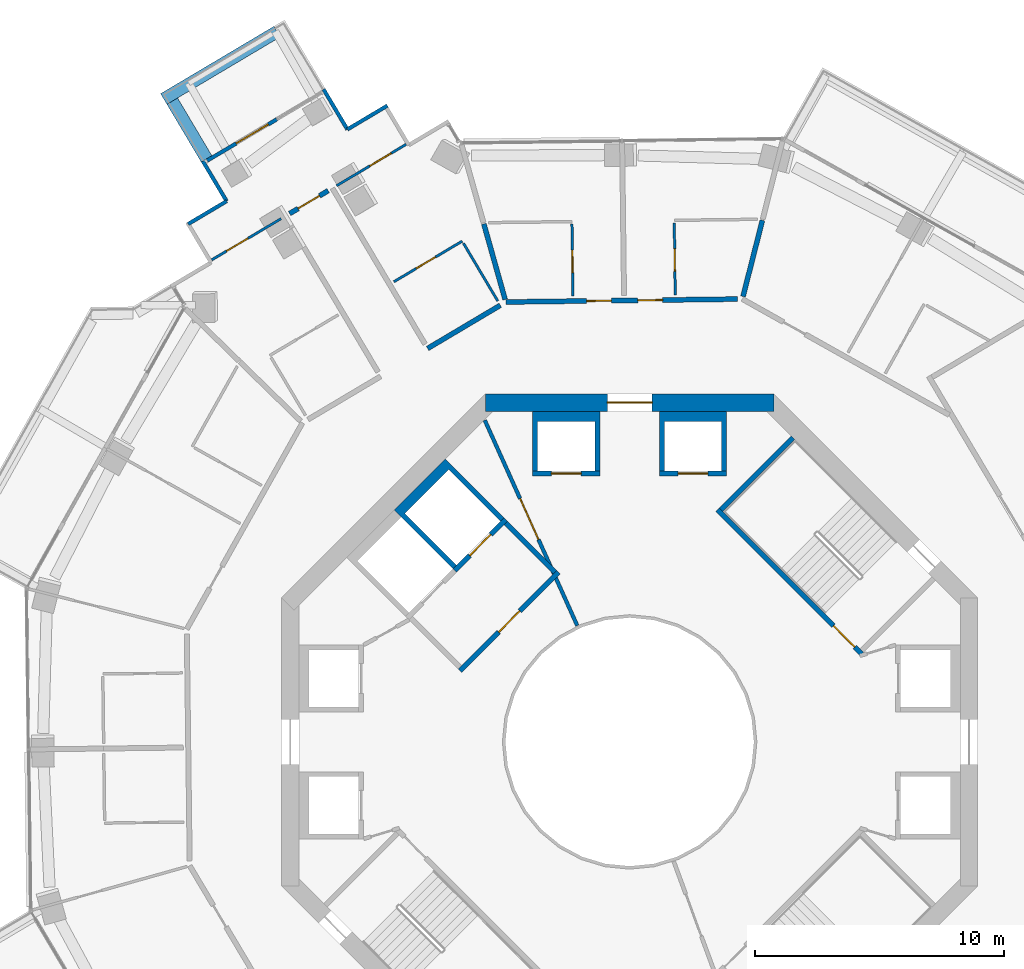
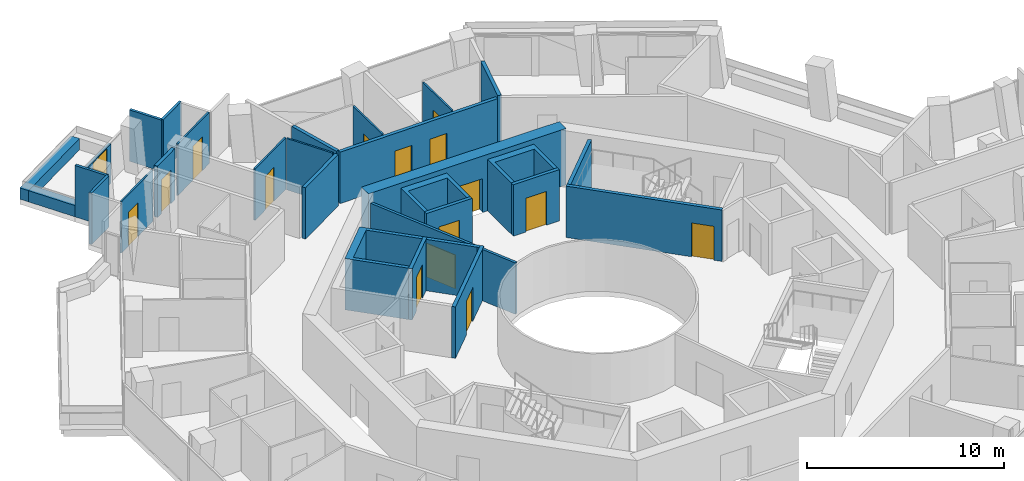
# One storey, part 17 of 21: 30 walls, 16 doors, 16 openings.
"""IFC4 building model written with IfcOpenShell, lengths in metres."""

from ifc_helpers import new_model, si_unit, direction, frame, frame_2d, origin, place, context, subcontext, project, spatial, polyline, rectangle, outline, extrude, material, layer, layer_set, type_object, element, fill, save


model = new_model("IFC4")

# Units and contexts
model_context = context("Model", 3, precision=1e-05, world=origin(), true_north=direction((0.0, 1.0)))
body_context = subcontext(model_context, "Body", "Model", "MODEL_VIEW")
ifc_project = project(units=[si_unit("LENGTHUNIT", "METRE"), si_unit("AREAUNIT", "SQUARE_METRE"), si_unit("VOLUMEUNIT", "CUBIC_METRE"), si_unit("PLANEANGLEUNIT", "RADIAN"), si_unit("MASSUNIT", "GRAM", prefix="KILO")], contexts=[model_context])

# Site, building, storey
site_placement = place(None, origin())
site = spatial("IfcSite", under=ifc_project, at=site_placement, CompositionType="ELEMENT")
building_placement = place(site_placement, origin())
building = spatial("IfcBuilding", under=site, at=building_placement, Name="Verdalira Terraces Hotel", CompositionType="ELEMENT")
storey_placement = place(building_placement, frame((0.0, 0.0, 158.5)))
storey = spatial("IfcBuildingStorey", under=building, at=storey_placement, Name="L38", CompositionType="ELEMENT", Elevation=158.5)

# Walls
ifc_material_1 = material(Name="Concrete C40", Category="concrete")
ifc_layer_1 = layer(ifc_material_1, 0.5)
ifc_layer_set_1 = layer_set([ifc_layer_1], Name="Balcony planter trough with tree")
wall_type_1 = type_object("IfcWallType", Name="Balcony planter trough with tree", PredefinedType="SOLIDWALL", material=ifc_layer_set_1)
wall_1_placement = place(storey_placement, frame((-14.185791, 28.570801, 0.0), z_axis=(0.0, 0.0, 1.0), x_axis=(-0.85967586, -0.510839912, 0.0)))
element("IfcWall", 1, at=wall_1_placement, inside=storey, type_object=wall_type_1, Name="Balcony planter", PredefinedType="SOLIDWALL", context=body_context, shape_type="SweptSolid", body=[
    extrude(rectangle(XDim=5.300049, YDim=0.5, at=frame_2d((2.649902, 0.0))), origin(), (0.0, 0.0, 1.0), 0.699951),
])
wall_2_placement = place(storey_placement, frame((-18.399414, 25.776123, 0.0), z_axis=(0.0, 0.0, 1.0), x_axis=(0.510806245, -0.859695865, 0.0)))
element("IfcWall", 2, at=wall_2_placement, inside=storey, type_object=wall_type_1, Name="Balcony planter", PredefinedType="SOLIDWALL", context=body_context, shape_type="SweptSolid", body=[
    extrude(rectangle(XDim=2.698975, YDim=0.5, at=frame_2d((1.349609, 0.0))), origin(), (0.0, 0.0, 1.0), 0.699951),
])

# Wall, opening, door
ifc_material_2 = material(Name="Moisture-resistant gypsum board partition")
ifc_layer_2 = layer(ifc_material_2, 0.10009765625)
ifc_layer_set_2 = layer_set([ifc_layer_2], Name="Bathroom partition 100 mm")
wall_type_2 = type_object("IfcWallType", Name="Bathroom partition 100 mm", PredefinedType="PARTITIONING", material=ifc_layer_set_2)
wall_3_placement = place(storey_placement, frame((-14.020508, 21.049805, 0.0), z_axis=(0.0, 0.0, 1.0), x_axis=(-0.85971053, -0.510781562, 0.0)))
wall_3 = element("IfcWall", 3, at=wall_3_placement, inside=storey, type_object=wall_type_2, Name="Bathroom partition", PredefinedType="PARTITIONING", context=body_context, shape_type="SweptSolid", body=[
    extrude(rectangle(XDim=3.252197, YDim=0.100098, at=frame_2d((1.625977, 0.0))), origin(), (0.0, 0.0, 1.0), 3.189941),
])
opening_1_placement = place(wall_3_placement, frame((1.550049, 0.0, 0.0)))
opening_1 = element("IfcOpeningElement", 4, at=opening_1_placement, cuts=wall_3, Name="Opening L38-103", PredefinedType="OPENING", context=body_context, shape_type="SweptSolid", body=[
    extrude(rectangle(XDim=1.0, YDim=2.100098, at=frame_2d((0.5, 1.050049))), frame((0.0, 0.060059, 0.0), z_axis=(0.0, -1.0, 0.0), x_axis=(1.0, 0.0, 0.0)), (0.0, 0.0, 1.0), 0.120117),
])
ifc_material_3 = material(Name="Timber door", Category="wood")
door_type_1 = type_object("IfcDoorType", Name="Suite internal door 1000 x 2100", OperationType="NOTDEFINED", PredefinedType="DOOR", material=ifc_material_3)
door_1_placement = place(opening_1_placement, origin())
door_1 = element("IfcDoor", 5, at=door_1_placement, inside=storey, type_object=door_type_1, Name="Suite internal door 3801", OperationType="SINGLE_SWING_LEFT", OverallHeight=2.10009765625, OverallWidth=1.0, PredefinedType="DOOR", context=body_context, shape_type="SweptSolid", body=[
    extrude(rectangle(XDim=1.0, YDim=2.100098, at=frame_2d((0.5, 1.050049))), frame((0.0, 0.024902, 0.0), z_axis=(0.0, -1.0, 0.0), x_axis=(1.0, 0.0, 0.0)), (0.0, 0.0, 1.0), 0.050049),
])
fill(opening_1, door_1)

wall_4_placement = place(storey_placement, frame((-8.989746, 24.039307, 0.0), z_axis=(0.0, 0.0, 1.0), x_axis=(-0.859657973, -0.510870012, 0.0)))
wall_4 = element("IfcWall", 6, at=wall_4_placement, inside=storey, type_object=wall_type_2, Name="Bathroom partition", PredefinedType="PARTITIONING", context=body_context, shape_type="SweptSolid", body=[
    extrude(rectangle(XDim=3.251953, YDim=0.100098, at=frame_2d((1.625977, 0.0))), origin(), (0.0, 0.0, 1.0), 3.189941),
])
opening_2_placement = place(wall_4_placement, frame((0.699951, 0.0, 0.0)))
opening_2 = element("IfcOpeningElement", 7, at=opening_2_placement, cuts=wall_4, Name="Opening L38-102", PredefinedType="OPENING", context=body_context, shape_type="SweptSolid", body=[
    extrude(rectangle(XDim=1.0, YDim=2.100098, at=frame_2d((0.5, 1.050049))), frame((0.0, 0.060059, 0.0), z_axis=(0.0, -1.0, 0.0), x_axis=(1.0, 0.0, 0.0)), (0.0, 0.0, 1.0), 0.120117),
])
door_2_placement = place(opening_2_placement, origin())
door_2 = element("IfcDoor", 8, at=door_2_placement, inside=storey, type_object=door_type_1, Name="Suite internal door 3801", OperationType="SINGLE_SWING_LEFT", OverallHeight=2.10009765625, OverallWidth=1.0, PredefinedType="DOOR", context=body_context, shape_type="SweptSolid", body=[
    extrude(rectangle(XDim=1.0, YDim=2.100098, at=frame_2d((0.5, 1.050049))), frame((0.0, 0.024902, 0.0), z_axis=(0.0, -1.0, 0.0), x_axis=(1.0, 0.0, 0.0)), (0.0, 0.0, 1.0), 0.050049),
])
fill(opening_2, door_2)

wall_5_placement = place(storey_placement, frame((-6.735596, 20.144287, 0.0), z_axis=(0.0, 0.0, 1.0), x_axis=(-0.859686203, -0.510822506, 0.0)))
wall_5 = element("IfcWall", 9, at=wall_5_placement, inside=storey, type_object=wall_type_2, Name="Bathroom partition", PredefinedType="PARTITIONING", context=body_context, shape_type="SweptSolid", body=[
    extrude(rectangle(XDim=3.200195, YDim=0.100098, at=frame_2d((1.600098, 0.0))), origin(), (0.0, 0.0, 1.0), 3.189941),
])
opening_3_placement = place(wall_5_placement, frame((1.25, 0.0, 0.0)))
opening_3 = element("IfcOpeningElement", 10, at=opening_3_placement, cuts=wall_5, Name="Opening L38-104", PredefinedType="OPENING", context=body_context, shape_type="SweptSolid", body=[
    extrude(rectangle(XDim=0.899902, YDim=2.100098, at=frame_2d((0.449951, 1.050049))), frame((0.0, 0.060059, 0.0), z_axis=(0.0, -1.0, 0.0), x_axis=(1.0, 0.0, 0.0)), (0.0, 0.0, 1.0), 0.120117),
])
ifc_material_4 = material(Name="Timber door", Category="wood")
door_type_2 = type_object("IfcDoorType", Name="Bathroom door 900 x 2100", OperationType="NOTDEFINED", PredefinedType="DOOR", material=ifc_material_4)
door_3_placement = place(opening_3_placement, origin())
door_3 = element("IfcDoor", 11, at=door_3_placement, inside=storey, type_object=door_type_2, Name="Bathroom door 3801", OperationType="SINGLE_SWING_LEFT", OverallHeight=2.10009765625, OverallWidth=0.89990234375, PredefinedType="DOOR", context=body_context, shape_type="SweptSolid", body=[
    extrude(rectangle(XDim=0.899902, YDim=2.100098, at=frame_2d((0.449951, 1.050049))), frame((0.0, 0.024902, 0.0), z_axis=(0.0, -1.0, 0.0), x_axis=(1.0, 0.0, 0.0)), (0.0, 0.0, 1.0), 0.050049),
])
fill(opening_3, door_3)

# Wall
wall_6_placement = place(storey_placement, frame((-5.30542, 17.737061, 0.0), z_axis=(0.0, 0.0, 1.0), x_axis=(-0.51082078, 0.859687229, 0.0)))
element("IfcWall", 12, at=wall_6_placement, inside=storey, type_object=wall_type_2, Name="Bathroom partition", PredefinedType="PARTITIONING", context=body_context, shape_type="SweptSolid", body=[
    extrude(rectangle(XDim=2.699951, YDim=0.100098, at=frame_2d((1.350098, 0.0))), origin(), (0.0, 0.0, 1.0), 3.189941),
])

# Wall, opening, door
wall_7_placement = place(storey_placement, frame((-2.283691, 17.930908, 0.0), z_axis=(0.0, 0.0, 1.0), x_axis=(-0.012627382, 0.999920271, 0.0)))
wall_7 = element("IfcWall", 13, at=wall_7_placement, inside=storey, type_object=wall_type_2, Name="Bathroom partition", PredefinedType="PARTITIONING", context=body_context, shape_type="SweptSolid", body=[
    extrude(rectangle(XDim=2.900146, YDim=0.100098, at=frame_2d((1.450195, 0.0))), origin(), (0.0, 0.0, 1.0), 3.189941),
])
opening_4_placement = place(wall_7_placement, frame((0.949951, 0.0, 0.0)))
opening_4 = element("IfcOpeningElement", 14, at=opening_4_placement, cuts=wall_7, Name="Opening L38-139", PredefinedType="OPENING", context=body_context, shape_type="SweptSolid", body=[
    extrude(rectangle(XDim=0.899902, YDim=2.100098, at=frame_2d((0.449951, 1.050049))), frame((0.0, 0.060059, 0.0), z_axis=(0.0, -1.0, 0.0), x_axis=(1.0, 0.0, 0.0)), (0.0, 0.0, 1.0), 0.120117),
])
door_4_placement = place(opening_4_placement, origin())
door_4 = element("IfcDoor", 15, at=door_4_placement, inside=storey, type_object=door_type_2, Name="Bathroom door 3812", OperationType="SINGLE_SWING_RIGHT", OverallHeight=2.10009765625, OverallWidth=0.89990234375, PredefinedType="DOOR", context=body_context, shape_type="SweptSolid", body=[
    extrude(rectangle(XDim=0.899902, YDim=2.100098, at=frame_2d((0.449951, 1.050049))), frame((0.0, 0.024902, 0.0), z_axis=(0.0, -1.0, 0.0), x_axis=(1.0, 0.0, 0.0)), (0.0, 0.0, 1.0), 0.050049),
])
fill(opening_4, door_4)

wall_8_placement = place(storey_placement, frame((1.796143, 20.882568, 0.0), z_axis=(0.0, 0.0, 1.0), x_axis=(0.012544268, -0.999921318, 0.0)))
wall_8 = element("IfcWall", 16, at=wall_8_placement, inside=storey, type_object=wall_type_2, Name="Bathroom partition", PredefinedType="PARTITIONING", context=body_context, shape_type="SweptSolid", body=[
    extrude(rectangle(XDim=2.899902, YDim=0.100098, at=frame_2d((1.449951, 0.0))), origin(), (0.0, 0.0, 1.0), 3.189941),
])
opening_5_placement = place(wall_8_placement, frame((1.050049, 0.0, 0.0)))
opening_5 = element("IfcOpeningElement", 17, at=opening_5_placement, cuts=wall_8, Name="Opening L38-137", PredefinedType="OPENING", context=body_context, shape_type="SweptSolid", body=[
    extrude(rectangle(XDim=0.899902, YDim=2.100098, at=frame_2d((0.449951, 1.050049))), frame((0.0, 0.060059, 0.0), z_axis=(0.0, -1.0, 0.0), x_axis=(1.0, 0.0, 0.0)), (0.0, 0.0, 1.0), 0.120117),
])
door_5_placement = place(opening_5_placement, origin())
door_5 = element("IfcDoor", 18, at=door_5_placement, inside=storey, type_object=door_type_2, Name="Bathroom door 3811", OperationType="SINGLE_SWING_LEFT", OverallHeight=2.10009765625, OverallWidth=0.89990234375, PredefinedType="DOOR", context=body_context, shape_type="SweptSolid", body=[
    extrude(rectangle(XDim=0.899902, YDim=2.100098, at=frame_2d((0.449951, 1.050049))), frame((0.0, 0.024902, 0.0), z_axis=(0.0, -1.0, 0.0), x_axis=(1.0, 0.0, 0.0)), (0.0, 0.0, 1.0), 0.050049),
])
fill(opening_5, door_5)

# Wall
ifc_material_5 = material(Name="Concrete C50", Category="concrete")
ifc_layer_3 = layer(ifc_material_5, 0.199951171875)
ifc_layer_set_3 = layer_set([ifc_layer_3], Name="Core RC wall 200 C50")
wall_type_3 = type_object("IfcWallType", Name="Core RC wall 200 C50", PredefinedType="SOLIDWALL", material=ifc_layer_set_3)
wall_9_placement = place(storey_placement, origin())
element("IfcWall", 19, at=wall_9_placement, inside=storey, type_object=wall_type_3, Name="L38 shaft wall N1", PredefinedType="SOLIDWALL", context=body_context, shape_type="SweptSolid", body=[
    extrude(outline(polyline([(3.899902, 13.300049), (3.899902, 10.899902), (3.699951, 10.899902), (3.699951, 12.899902), (1.399902, 12.899902), (1.399902, 10.899902), (1.199951, 10.899902), (1.199951, 13.300049), (3.899902, 13.300049)])), origin(), (0.0, 0.0, 1.0), 3.189941),
])

# Wall, opening, door
wall_10_placement = place(storey_placement, frame((1.199951, 10.800049, 0.0), z_axis=(0.0, 0.0, 1.0), x_axis=(1.0, 0.0, 0.0)))
wall_10 = element("IfcWall", 20, at=wall_10_placement, inside=storey, type_object=wall_type_3, Name="L38 shaft front wall N1", PredefinedType="SOLIDWALL", context=body_context, shape_type="SweptSolid", body=[
    extrude(rectangle(XDim=2.699951, YDim=0.199951, at=frame_2d((1.350098, 0.0))), origin(), (0.0, 0.0, 1.0), 3.189941),
])
opening_6_placement = place(wall_10_placement, frame((0.75, 0.0, 0.0)))
opening_6 = element("IfcOpeningElement", 21, at=opening_6_placement, cuts=wall_10, Name="Opening LD-L38-803", PredefinedType="OPENING", context=body_context, shape_type="SweptSolid", body=[
    extrude(rectangle(XDim=1.199951, YDim=2.100098, at=frame_2d((0.600098, 1.050049))), frame((0.0, 0.109863, 0.0), z_axis=(0.0, -1.0, 0.0), x_axis=(1.0, 0.0, 0.0)), (0.0, 0.0, 1.0), 0.219971),
])
ifc_material_6 = material(Name="Stainless steel", Category="steel")
door_type_3 = type_object("IfcDoorType", Name="Landing door 1200 x 2100", OperationType="NOTDEFINED", PredefinedType="DOOR", material=ifc_material_6)
door_6_placement = place(opening_6_placement, origin())
door_6 = element("IfcDoor", 22, at=door_6_placement, inside=storey, type_object=door_type_3, Name="Lift landing door LR3 L38", OperationType="DOUBLE_DOOR_SLIDING", OverallHeight=2.10009765625, OverallWidth=1.199951171875, PredefinedType="DOOR", context=body_context, shape_type="SweptSolid", body=[
    extrude(rectangle(XDim=1.199951, YDim=2.100098, at=frame_2d((0.600098, 1.050049))), frame((0.0, 0.024902, 0.0), z_axis=(0.0, -1.0, 0.0), x_axis=(1.0, 0.0, 0.0)), (0.0, 0.0, 1.0), 0.050049),
])
fill(opening_6, door_6)

# Wall
wall_11_placement = place(storey_placement, origin())
element("IfcWall", 23, at=wall_11_placement, inside=storey, type_object=wall_type_3, Name="L38 shaft wall N2", PredefinedType="SOLIDWALL", context=body_context, shape_type="SweptSolid", body=[
    extrude(outline(polyline([(-3.899902, 10.899902), (-3.899902, 13.300049), (-1.199951, 13.300049), (-1.199951, 10.899902), (-1.399902, 10.899902), (-1.399902, 12.899902), (-3.699951, 12.899902), (-3.699951, 10.899902), (-3.899902, 10.899902)])), origin(), (0.0, 0.0, 1.0), 3.189941),
])

# Wall, opening, door
wall_12_placement = place(storey_placement, frame((-1.199951, 10.800049, 0.0), z_axis=(0.0, 0.0, 1.0), x_axis=(-1.0, 0.0, 0.0)))
wall_12 = element("IfcWall", 24, at=wall_12_placement, inside=storey, type_object=wall_type_3, Name="L38 shaft front wall N2", PredefinedType="SOLIDWALL", context=body_context, shape_type="SweptSolid", body=[
    extrude(rectangle(XDim=2.699951, YDim=0.199951, at=frame_2d((1.350098, 0.0))), origin(), (0.0, 0.0, 1.0), 3.189941),
])
opening_7_placement = place(wall_12_placement, frame((0.75, 0.0, 0.0)))
opening_7 = element("IfcOpeningElement", 25, at=opening_7_placement, cuts=wall_12, Name="Opening LD-L38-804", PredefinedType="OPENING", context=body_context, shape_type="SweptSolid", body=[
    extrude(rectangle(XDim=1.199951, YDim=2.100098, at=frame_2d((0.600098, 1.050049))), frame((0.0, 0.109863, 0.0), z_axis=(0.0, -1.0, 0.0), x_axis=(1.0, 0.0, 0.0)), (0.0, 0.0, 1.0), 0.219971),
])
door_7_placement = place(opening_7_placement, origin())
door_7 = element("IfcDoor", 26, at=door_7_placement, inside=storey, type_object=door_type_3, Name="Lift landing door LR4 L38", OperationType="DOUBLE_DOOR_SLIDING", OverallHeight=2.10009765625, OverallWidth=1.199951171875, PredefinedType="DOOR", context=body_context, shape_type="SweptSolid", body=[
    extrude(rectangle(XDim=1.199951, YDim=2.100098, at=frame_2d((0.600098, 1.050049))), frame((0.0, 0.024902, 0.0), z_axis=(0.0, -1.0, 0.0), x_axis=(1.0, 0.0, 0.0)), (0.0, 0.0, 1.0), 0.050049),
])
fill(opening_7, door_7)

# Wall
wall_13_placement = place(storey_placement, origin())
element("IfcWall", 27, at=wall_13_placement, inside=storey, type_object=wall_type_3, Name="L38 shaft wall F1", PredefinedType="SOLIDWALL", context=body_context, shape_type="SweptSolid", body=[
    extrude(outline(polyline([(-9.475098, 9.33374), (-7.424561, 11.384521), (-5.055908, 9.015625), (-5.197266, 8.874268), (-7.283203, 10.960205), (-9.051025, 9.192383), (-6.965088, 7.106445), (-7.106445, 6.965088), (-9.475098, 9.33374)])), origin(), (0.0, 0.0, 1.0), 3.189941),
])

# Wall, opening, door
wall_14_placement = place(storey_placement, frame((-4.985107, 8.944824, 0.0), z_axis=(0.0, 0.0, 1.0), x_axis=(-0.707106781, -0.707106781, 0.0)))
wall_14 = element("IfcWall", 28, at=wall_14_placement, inside=storey, type_object=wall_type_3, Name="L38 shaft front wall F1", PredefinedType="SOLIDWALL", context=body_context, shape_type="SweptSolid", body=[
    extrude(rectangle(XDim=2.899902, YDim=0.199951, at=frame_2d((1.449951, 0.0))), origin(), (0.0, 0.0, 1.0), 3.189941),
])
opening_8_placement = place(wall_14_placement, frame((0.850098, 0.0, 0.0)))
opening_8 = element("IfcOpeningElement", 29, at=opening_8_placement, cuts=wall_14, Name="Opening LD-L38-807", PredefinedType="OPENING", context=body_context, shape_type="SweptSolid", body=[
    extrude(rectangle(XDim=1.199951, YDim=2.100098, at=frame_2d((0.600098, 1.050049))), frame((0.0, 0.109863, 0.0), z_axis=(0.0, -1.0, 0.0), x_axis=(1.0, 0.0, 0.0)), (0.0, 0.0, 1.0), 0.219971),
])
door_8_placement = place(opening_8_placement, origin())
door_8 = element("IfcDoor", 30, at=door_8_placement, inside=storey, type_object=door_type_3, Name="Lift landing door LF11 L38", OperationType="DOUBLE_DOOR_SLIDING", OverallHeight=2.10009765625, OverallWidth=1.199951171875, PredefinedType="DOOR", context=body_context, shape_type="SweptSolid", body=[
    extrude(rectangle(XDim=1.199951, YDim=2.100098, at=frame_2d((0.600098, 1.050049))), frame((0.0, 0.024902, 0.0), z_axis=(0.0, -1.0, 0.0), x_axis=(1.0, 0.0, 0.0)), (0.0, 0.0, 1.0), 0.050049),
])
fill(opening_8, door_8)

wall_15_placement = place(storey_placement, frame((3.5354, 9.33374, 0.0), z_axis=(0.0, 0.0, 1.0), x_axis=(0.707106781, -0.707106781, 0.0)))
wall_15 = element("IfcWall", 31, at=wall_15_placement, inside=storey, type_object=wall_type_3, Name="L38 stair ST1 front wall", PredefinedType="SOLIDWALL", context=body_context, shape_type="SweptSolid", body=[
    extrude(rectangle(XDim=8.200195, YDim=0.199951, at=frame_2d((4.100098, 0.0))), origin(), (0.0, 0.0, 1.0), 3.189941),
])
opening_9_placement = place(wall_15_placement, frame((6.600098, 0.0, 0.0)))
opening_9 = element("IfcOpeningElement", 32, at=opening_9_placement, cuts=wall_15, Name="Opening L38-809", PredefinedType="OPENING", context=body_context, shape_type="SweptSolid", body=[
    extrude(rectangle(XDim=1.199951, YDim=2.100098, at=frame_2d((0.600098, 1.050049))), frame((0.0, 0.109863, 0.0), z_axis=(0.0, -1.0, 0.0), x_axis=(1.0, 0.0, 0.0)), (0.0, 0.0, 1.0), 0.219971),
])
ifc_material_7 = material(Name="Steel fire door", Category="steel")
door_type_4 = type_object("IfcDoorType", Name="Stair door 1200 x 2100", OperationType="NOTDEFINED", PredefinedType="DOOR", material=ifc_material_7)
door_9_placement = place(opening_9_placement, origin())
door_9 = element("IfcDoor", 33, at=door_9_placement, inside=storey, type_object=door_type_4, Name="Stair door ST1 L38", OperationType="SINGLE_SWING_RIGHT", OverallHeight=2.10009765625, OverallWidth=1.199951171875, PredefinedType="DOOR", context=body_context, shape_type="SweptSolid", body=[
    extrude(rectangle(XDim=1.199951, YDim=2.100098, at=frame_2d((0.600098, 1.050049))), frame((0.0, 0.024902, 0.0), z_axis=(0.0, -1.0, 0.0), x_axis=(1.0, 0.0, 0.0)), (0.0, 0.0, 1.0), 0.050049),
])
fill(opening_9, door_9)

# Wall
wall_16_placement = place(storey_placement, frame((3.677002, 9.33374, 0.0), z_axis=(0.0, 0.0, 1.0), x_axis=(0.707106781, 0.707106781, 0.0)))
element("IfcWall", 34, at=wall_16_placement, inside=storey, type_object=wall_type_3, Name="L38 stair ST1 end wall 2", PredefinedType="SOLIDWALL", context=body_context, shape_type="SweptSolid", body=[
    extrude(rectangle(XDim=4.100098, YDim=0.199951, at=frame_2d((2.050049, 0.0))), origin(), (0.0, 0.0, 1.0), 3.189941),
])

# Wall, opening, door
wall_17_placement = place(storey_placement, frame((-2.86377, 6.823486, 0.0), z_axis=(0.0, 0.0, 1.0), x_axis=(-0.707106781, -0.707106781, 0.0)))
wall_17 = element("IfcWall", 35, at=wall_17_placement, inside=storey, type_object=wall_type_3, Name="L38 fire lobby wall", PredefinedType="SOLIDWALL", context=body_context, shape_type="SweptSolid", body=[
    extrude(rectangle(XDim=5.599854, YDim=0.199951, at=frame_2d((2.799805, 0.0))), origin(), (0.0, 0.0, 1.0), 3.189941),
])
opening_10_placement = place(wall_17_placement, frame((2.199951, 0.0, 0.0)))
opening_10 = element("IfcOpeningElement", 36, at=opening_10_placement, cuts=wall_17, Name="Opening L38-819", PredefinedType="OPENING", context=body_context, shape_type="SweptSolid", body=[
    extrude(rectangle(XDim=1.199951, YDim=2.100098, at=frame_2d((0.600098, 1.050049))), frame((0.0, 0.109863, 0.0), z_axis=(0.0, -1.0, 0.0), x_axis=(1.0, 0.0, 0.0)), (0.0, 0.0, 1.0), 0.219971),
])
ifc_material_8 = material(Name="Steel fire door", Category="steel")
door_type_5 = type_object("IfcDoorType", Name="Lobby door 1200 x 2100", OperationType="NOTDEFINED", PredefinedType="DOOR", material=ifc_material_8)
door_10_placement = place(opening_10_placement, origin())
door_10 = element("IfcDoor", 37, at=door_10_placement, inside=storey, type_object=door_type_5, Name="Fire lobby door L38", OperationType="SINGLE_SWING_LEFT", OverallHeight=2.10009765625, OverallWidth=1.199951171875, PredefinedType="DOOR", context=body_context, shape_type="SweptSolid", body=[
    extrude(rectangle(XDim=1.199951, YDim=2.100098, at=frame_2d((0.600098, 1.050049))), frame((0.0, 0.024902, 0.0), z_axis=(0.0, -1.0, 0.0), x_axis=(1.0, 0.0, 0.0)), (0.0, 0.0, 1.0), 0.050049),
])
fill(opening_10, door_10)

# Wall
wall_18_placement = place(storey_placement, frame((-3.005127, 6.823486, 0.0), z_axis=(0.0, 0.0, 1.0), x_axis=(-0.707106781, 0.707106781, 0.0)))
element("IfcWall", 38, at=wall_18_placement, inside=storey, type_object=wall_type_3, Name="L38 fire lobby wall", PredefinedType="SOLIDWALL", context=body_context, shape_type="SweptSolid", body=[
    extrude(rectangle(XDim=2.800049, YDim=0.199951, at=frame_2d((1.399902, 0.0))), origin(), (0.0, 0.0, 1.0), 3.189941),
])

# Wall, opening, door
ifc_material_9 = material(Name="Gypsum board partition")
ifc_layer_4 = layer(ifc_material_9, 0.14990234375)
ifc_layer_set_4 = layer_set([ifc_layer_4], Name="Core partition 150 mm")
wall_type_4 = type_object("IfcWallType", Name="Core partition 150 mm", PredefinedType="PARTITIONING", material=ifc_layer_set_4)
wall_19_placement = place(storey_placement, frame((-5.827637, 12.94165, 0.0), z_axis=(0.0, 0.0, 1.0), x_axis=(0.410577476, -0.911825716, 0.0)))
wall_19 = element("IfcWall", 39, at=wall_19_placement, inside=storey, type_object=wall_type_4, Name="Gallery fire partition L38", PredefinedType="PARTITIONING", context=body_context, shape_type="SweptSolid", body=[
    extrude(rectangle(XDim=9.063232, YDim=0.149902, at=frame_2d((4.531738, 0.0))), origin(), (0.0, 0.0, 1.0), 3.189941),
])
opening_11_placement = place(wall_19_placement, frame((3.463379, 0.0, 0.0)))
opening_11 = element("IfcOpeningElement", 40, at=opening_11_placement, cuts=wall_19, Name="Opening L38-824", PredefinedType="OPENING", context=body_context, shape_type="SweptSolid", body=[
    extrude(rectangle(XDim=1.800049, YDim=2.100098, at=frame_2d((0.899902, 1.050049))), frame((0.0, 0.084961, 0.0), z_axis=(0.0, -1.0, 0.0), x_axis=(1.0, 0.0, 0.0)), (0.0, 0.0, 1.0), 0.169922),
])
ifc_material_10 = material(Name="Steel fire door", Category="steel")
door_type_6 = type_object("IfcDoorType", Name="Gallery fire door pair 1800 x 2100", OperationType="NOTDEFINED", PredefinedType="DOOR", material=ifc_material_10)
door_11_placement = place(opening_11_placement, origin())
door_11 = element("IfcDoor", 41, at=door_11_placement, inside=storey, type_object=door_type_6, Name="Door L38 split2", OperationType="DOUBLE_DOOR_SINGLE_SWING", OverallHeight=2.10009765625, OverallWidth=1.800048828125, PredefinedType="DOOR", context=body_context, shape_type="SweptSolid", body=[
    extrude(rectangle(XDim=1.800049, YDim=2.100098, at=frame_2d((0.899902, 1.050049))), frame((0.0, 0.024902, 0.0), z_axis=(0.0, -1.0, 0.0), x_axis=(1.0, 0.0, 0.0)), (0.0, 0.0, 1.0), 0.050049),
])
fill(opening_11, door_11)

ifc_material_11 = material(Name="Concrete C60", Category="concrete")
ifc_layer_5 = layer(ifc_material_11, 0.699951171875)
ifc_layer_set_5 = layer_set([ifc_layer_5], Name="Core wall 700 C60")
wall_type_5 = type_object("IfcWallType", Name="Core wall 700 C60", PredefinedType="SHEAR", material=ifc_layer_set_5)
wall_20_placement = place(storey_placement, frame((5.799072, 13.649902, 0.0), z_axis=(0.0, 0.0, 1.0), x_axis=(-1.0, 0.0, 0.0)))
wall_20 = element("IfcWall", 42, at=wall_20_placement, inside=storey, type_object=wall_type_5, Name="Core wall CW-L38-3", PredefinedType="SHEAR", context=body_context, shape_type="SweptSolid", body=[
    extrude(rectangle(XDim=11.598145, YDim=0.699951, at=frame_2d((5.799072, 0.0))), origin(), (0.0, 0.0, 1.0), 3.5),
])
opening_12_placement = place(wall_20_placement, frame((4.898926, 0.0, 0.0)))
opening_12 = element("IfcOpeningElement", 43, at=opening_12_placement, cuts=wall_20, Name="Opening L38-813", PredefinedType="OPENING", context=body_context, shape_type="SweptSolid", body=[
    extrude(rectangle(XDim=1.800049, YDim=2.100098, at=frame_2d((0.899902, 1.050049))), frame((0.0, 0.359863, 0.0), z_axis=(0.0, -1.0, 0.0), x_axis=(1.0, 0.0, 0.0)), (0.0, 0.0, 1.0), 0.719971),
])
ifc_material_12 = material(Name="Steel fire door", Category="steel")
door_type_7 = type_object("IfcDoorType", Name="Core entry door pair 1800 x 2100", OperationType="NOTDEFINED", PredefinedType="DOOR", material=ifc_material_12)
door_12_placement = place(opening_12_placement, origin())
door_12 = element("IfcDoor", 44, at=door_12_placement, inside=storey, type_object=door_type_7, Name="Core entry door L38 2", OperationType="DOUBLE_DOOR_SINGLE_SWING", OverallHeight=2.10009765625, OverallWidth=1.800048828125, PredefinedType="DOOR", context=body_context, shape_type="SweptSolid", body=[
    extrude(rectangle(XDim=1.800049, YDim=2.100098, at=frame_2d((0.899902, 1.050049))), frame((0.0, 0.024902, 0.0), z_axis=(0.0, -1.0, 0.0), x_axis=(1.0, 0.0, 0.0)), (0.0, 0.0, 1.0), 0.050049),
])
fill(opening_12, door_12)

# Walls
ifc_material_13 = material(Name="Fire-rated gypsum board wall")
ifc_layer_6 = layer(ifc_material_13, 0.199951171875)
ifc_layer_set_6 = layer_set([ifc_layer_6], Name="Demising wall 200 mm")
wall_type_6 = type_object("IfcWallType", Name="Demising wall 200 mm", PredefinedType="SOLIDWALL", material=ifc_layer_set_6)
wall_21_placement = place(storey_placement, frame((-5.865723, 20.839844, 0.0), z_axis=(0.0, 0.0, 1.0), x_axis=(0.270924495, -0.962600601, 0.0)))
element("IfcWall", 45, at=wall_21_placement, inside=storey, type_object=wall_type_6, Name="Demising wall", PredefinedType="SOLIDWALL", context=body_context, shape_type="SweptSolid", body=[
    extrude(rectangle(XDim=3.161133, YDim=0.199951, at=frame_2d((1.580566, 0.0))), origin(), (0.0, 0.0, 1.0), 3.189941),
])
wall_22_placement = place(storey_placement, frame((4.560303, 17.916992, 0.0), z_axis=(0.0, 0.0, 1.0), x_axis=(0.246658182, 0.969102544, 0.0)))
element("IfcWall", 46, at=wall_22_placement, inside=storey, type_object=wall_type_6, Name="Demising wall", PredefinedType="SOLIDWALL", context=body_context, shape_type="SweptSolid", body=[
    extrude(rectangle(XDim=3.161377, YDim=0.199951, at=frame_2d((1.580566, 0.0))), origin(), (0.0, 0.0, 1.0), 3.189941),
])

# Wall, opening, door
ifc_material_14 = material(Name="Fire-rated gypsum board wall")
ifc_layer_7 = layer(ifc_material_14, 0.199951171875)
ifc_layer_set_7 = layer_set([ifc_layer_7], Name="Guest corridor wall 200 mm")
wall_type_7 = type_object("IfcWallType", Name="Guest corridor wall 200 mm", PredefinedType="SOLIDWALL", material=ifc_layer_set_7)
wall_23_placement = place(storey_placement, frame((-13.678467, 21.253174, 0.0), z_axis=(0.0, 0.0, 1.0), x_axis=(0.859646736, 0.510888921, 0.0)))
wall_23 = element("IfcWall", 47, at=wall_23_placement, inside=storey, type_object=wall_type_7, Name="Guest corridor wall", PredefinedType="SOLIDWALL", context=body_context, shape_type="SweptSolid", body=[
    extrude(rectangle(XDim=1.803955, YDim=0.199951, at=frame_2d((0.901855, 0.0))), origin(), (0.0, 0.0, 1.0), 3.189941),
])
opening_13_placement = place(wall_23_placement, frame((0.399902, 0.0, 0.0)))
opening_13 = element("IfcOpeningElement", 48, at=opening_13_placement, cuts=wall_23, Name="Opening L38-101", PredefinedType="OPENING", context=body_context, shape_type="SweptSolid", body=[
    extrude(rectangle(XDim=1.0, YDim=2.100098, at=frame_2d((0.5, 1.050049))), frame((0.0, 0.109863, 0.0), z_axis=(0.0, -1.0, 0.0), x_axis=(1.0, 0.0, 0.0)), (0.0, 0.0, 1.0), 0.219971),
])
ifc_material_15 = material(Name="Timber fire door", Category="wood")
door_type_8 = type_object("IfcDoorType", Name="Guest entry door 1000 x 2100", OperationType="NOTDEFINED", PredefinedType="DOOR", material=ifc_material_15)
door_13_placement = place(opening_13_placement, origin())
door_13 = element("IfcDoor", 49, at=door_13_placement, inside=storey, type_object=door_type_8, Name="Guest entry door 3801", OperationType="SINGLE_SWING_LEFT", OverallHeight=2.10009765625, OverallWidth=1.0, PredefinedType="DOOR", context=body_context, shape_type="SweptSolid", body=[
    extrude(rectangle(XDim=1.0, YDim=2.100098, at=frame_2d((0.5, 1.050049))), frame((0.0, 0.024902, 0.0), z_axis=(0.0, -1.0, 0.0), x_axis=(1.0, 0.0, 0.0)), (0.0, 0.0, 1.0), 0.050049),
])
fill(opening_13, door_13)

# Wall
wall_24_placement = place(storey_placement, frame((-5.203125, 17.565186, 0.0), z_axis=(0.0, 0.0, 1.0), x_axis=(-0.859696114, -0.510805826, 0.0)))
element("IfcWall", 50, at=wall_24_placement, inside=storey, type_object=wall_type_7, Name="Guest corridor wall", PredefinedType="SOLIDWALL", context=body_context, shape_type="SweptSolid", body=[
    extrude(rectangle(XDim=3.400146, YDim=0.199951, at=frame_2d((1.700195, 0.0))), origin(), (0.0, 0.0, 1.0), 3.189941),
])

# Wall, openings, doors
wall_25_placement = place(storey_placement, frame((-4.981201, 17.697021, 0.0), z_axis=(0.0, 0.0, 1.0), x_axis=(0.99992089, 0.012578281, 0.0)))
wall_25 = element("IfcWall", 51, at=wall_25_placement, inside=storey, type_object=wall_type_7, Name="Guest corridor wall", PredefinedType="SOLIDWALL", context=body_context, shape_type="SweptSolid", body=[
    extrude(rectangle(XDim=9.31665, YDim=0.199951, at=frame_2d((4.658203, 0.0))), origin(), (0.0, 0.0, 1.0), 3.189941),
])
opening_14_placement = place(wall_25_placement, frame((5.30835, 0.0, 0.0)))
opening_14 = element("IfcOpeningElement", 52, at=opening_14_placement, cuts=wall_25, Name="Opening L38-136", PredefinedType="OPENING", context=body_context, shape_type="SweptSolid", body=[
    extrude(rectangle(XDim=1.0, YDim=2.100098, at=frame_2d((0.5, 1.050049))), frame((0.0, 0.109863, 0.0), z_axis=(0.0, -1.0, 0.0), x_axis=(1.0, 0.0, 0.0)), (0.0, 0.0, 1.0), 0.219971),
])
opening_15_placement = place(wall_25_placement, frame((3.25, 0.0, 0.0)))
opening_15 = element("IfcOpeningElement", 53, at=opening_15_placement, cuts=wall_25, Name="Opening L38-138", PredefinedType="OPENING", context=body_context, shape_type="SweptSolid", body=[
    extrude(rectangle(XDim=1.0, YDim=2.100098, at=frame_2d((0.5, 1.050049))), frame((0.0, 0.109863, 0.0), z_axis=(0.0, -1.0, 0.0), x_axis=(1.0, 0.0, 0.0)), (0.0, 0.0, 1.0), 0.219971),
])
door_14_placement = place(opening_14_placement, origin())
door_14 = element("IfcDoor", 54, at=door_14_placement, inside=storey, type_object=door_type_8, Name="Guest entry door 3811", OperationType="SINGLE_SWING_LEFT", OverallHeight=2.10009765625, OverallWidth=1.0, PredefinedType="DOOR", context=body_context, shape_type="SweptSolid", body=[
    extrude(rectangle(XDim=1.0, YDim=2.100098, at=frame_2d((0.5, 1.050049))), frame((0.0, 0.024902, 0.0), z_axis=(0.0, -1.0, 0.0), x_axis=(1.0, 0.0, 0.0)), (0.0, 0.0, 1.0), 0.050049),
])
fill(opening_14, door_14)
door_15_placement = place(opening_15_placement, origin())
door_15 = element("IfcDoor", 55, at=door_15_placement, inside=storey, type_object=door_type_8, Name="Guest entry door 3812", OperationType="SINGLE_SWING_RIGHT", OverallHeight=2.10009765625, OverallWidth=1.0, PredefinedType="DOOR", context=body_context, shape_type="SweptSolid", body=[
    extrude(rectangle(XDim=1.0, YDim=2.100098, at=frame_2d((0.5, 1.050049))), frame((0.0, 0.024902, 0.0), z_axis=(0.0, -1.0, 0.0), x_axis=(1.0, 0.0, 0.0)), (0.0, 0.0, 1.0), 0.050049),
])
fill(opening_15, door_15)

# Walls
ifc_material_16 = material(Name="Terracotta cladding", Category="masonry")
ifc_layer_8 = layer(ifc_material_16, 0.14990234375)
ifc_layer_set_8 = layer_set([ifc_layer_8], Name="Terracotta clad wall 150")
wall_type_8 = type_object("IfcWallType", Name="Terracotta clad wall 150", PredefinedType="SOLIDWALL", material=ifc_layer_set_8)
for number, where, z_axis, x_axis, name in (
    (56, (-9.743896, 25.5979, 0.0), (0.0, 0.0, 1.0), (-0.859622446, -0.510929791, 0.0), "Terracotta cladding wall"),
    (57, (-11.355713, 24.639893, 0.0), (0.0, 0.0, 1.0), (-0.510776386, 0.859713606, 0.0), "Terracotta cladding wall"),
    (58, (-17.170654, 23.365723, 0.0), (0.0, 0.0, 1.0), (0.510776386, -0.859713606, 0.0), "Terracotta cladding wall"),
):
    element("IfcWall", number, at=place(storey_placement, frame(where, z_axis=z_axis, x_axis=x_axis)), inside=storey, type_object=wall_type_8, Name=name, PredefinedType="SOLIDWALL", context=body_context, shape_type="SweptSolid", body=[
        extrude(rectangle(XDim=1.875, YDim=0.149902, at=frame_2d((0.9375, 0.0))), origin(), (0.0, 0.0, 1.0), 3.189941),
    ])
wall_26_placement = place(storey_placement, frame((-16.212891, 21.753662, 0.0), z_axis=(0.0, 0.0, 1.0), x_axis=(-0.859687229, -0.51082078, 0.0)))
element("IfcWall", 59, at=wall_26_placement, inside=storey, type_object=wall_type_8, Name="Terracotta cladding wall", PredefinedType="SOLIDWALL", context=body_context, shape_type="SweptSolid", body=[
    extrude(rectangle(XDim=1.799805, YDim=0.149902, at=frame_2d((0.899902, 0.0))), origin(), (0.0, 0.0, 1.0), 3.189941),
])

# Wall, opening, door
ifc_material_17 = material(Name="Terracotta cladding", Category="masonry")
ifc_layer_9 = layer(ifc_material_17, 0.14990234375)
ifc_layer_set_9 = layer_set([ifc_layer_9], Name="Terracotta door pier 150")
wall_type_9 = type_object("IfcWallType", Name="Terracotta door pier 150", PredefinedType="SOLIDWALL", material=ifc_layer_set_9)
wall_27_placement = place(storey_placement, frame((-14.196533, 25.045654, 0.0), z_axis=(0.0, 0.0, 1.0), x_axis=(-0.859679009, -0.510834613, 0.0)))
wall_27 = element("IfcWall", 60, at=wall_27_placement, inside=storey, type_object=wall_type_9, Name="Terracotta door pier", PredefinedType="SOLIDWALL", context=body_context, shape_type="SweptSolid", body=[
    extrude(rectangle(XDim=3.26001, YDim=0.149902, at=frame_2d((1.629883, 0.0))), origin(), (0.0, 0.0, 1.0), 2.475098),
])
opening_16_placement = place(wall_27_placement, frame((0.399902, 0.0, 0.0)))
opening_16 = element("IfcOpeningElement", 61, at=opening_16_placement, cuts=wall_27, Name="Opening L38-B01", PredefinedType="OPENING", context=body_context, shape_type="SweptSolid", body=[
    extrude(rectangle(XDim=1.5, YDim=2.399902, at=frame_2d((0.75, 1.199951))), frame((0.0, 0.084961, 0.0), z_axis=(0.0, -1.0, 0.0), x_axis=(1.0, 0.0, 0.0)), (0.0, 0.0, 1.0), 0.169922),
])
ifc_material_18 = material(Name="Clear glass", Category="glass")
door_type_9 = type_object("IfcDoorType", Name="Balcony sliding door 1500x2400", OperationType="NOTDEFINED", PredefinedType="DOOR", material=ifc_material_18)
door_16_placement = place(opening_16_placement, origin())
door_16 = element("IfcDoor", 62, at=door_16_placement, inside=storey, type_object=door_type_9, Name="Balcony sliding door", OperationType="SLIDING_TO_RIGHT", OverallHeight=2.39990234375, OverallWidth=1.5, PredefinedType="DOOR", context=body_context, shape_type="SweptSolid", body=[
    extrude(rectangle(XDim=1.5, YDim=2.399902, at=frame_2d((0.75, 1.199951))), frame((0.0, 0.024902, 0.0), z_axis=(0.0, -1.0, 0.0), x_axis=(1.0, 0.0, 0.0)), (0.0, 0.0, 1.0), 0.050049),
])
fill(opening_16, door_16)

save(model, "model.ifc")
